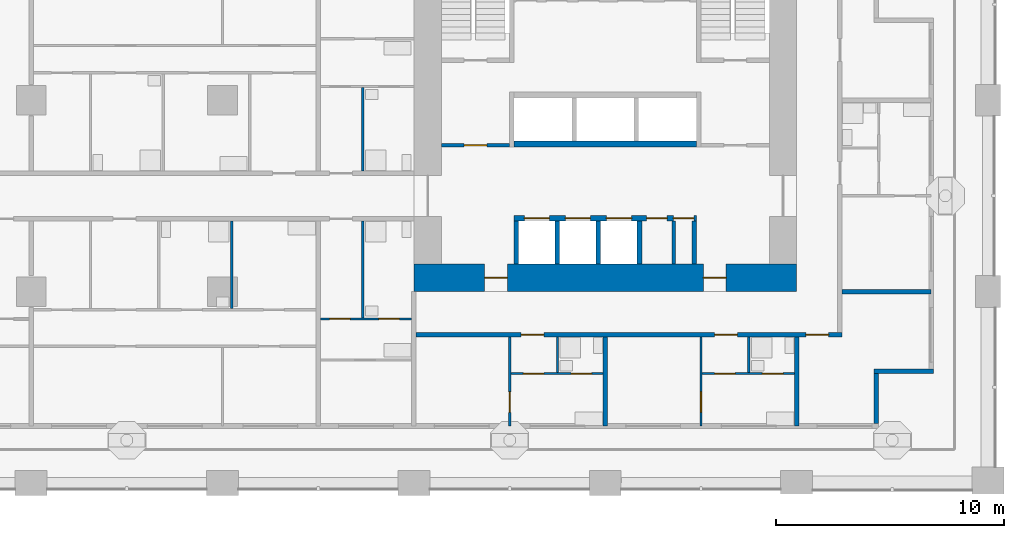
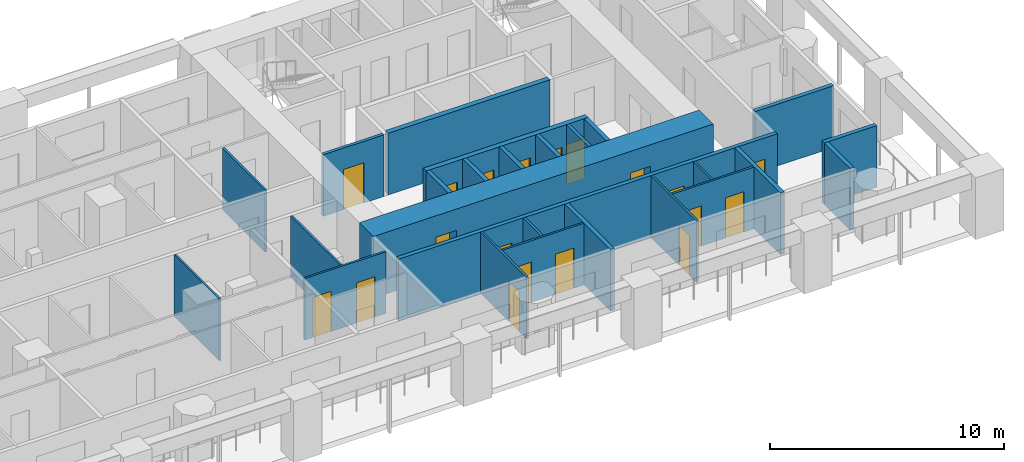
# One storey, part 6 of 22: 26 walls, 19 doors, 19 openings.
"""IFC4 building model written with IfcOpenShell, lengths in metres."""

from ifc_helpers import new_model, si_unit, direction, frame, frame_2d, origin, place, context, subcontext, project, spatial, rectangle, extrude, material, layer, layer_set, type_object, element, fill, save


model = new_model("IFC4")

# Units and contexts
model_context = context("Model", 3, precision=1e-05, world=origin(), true_north=direction((0.0, 1.0)))
body_context = subcontext(model_context, "Body", "Model", "MODEL_VIEW")
ifc_project = project(units=[si_unit("LENGTHUNIT", "METRE"), si_unit("AREAUNIT", "SQUARE_METRE"), si_unit("VOLUMEUNIT", "CUBIC_METRE"), si_unit("PLANEANGLEUNIT", "RADIAN"), si_unit("MASSUNIT", "GRAM", prefix="KILO")], contexts=[model_context])

# Site, building, storey
site_placement = place(None, origin())
site = spatial("IfcSite", under=ifc_project, at=site_placement, CompositionType="ELEMENT")
building_placement = place(site_placement, origin())
building = spatial("IfcBuilding", under=site, at=building_placement, Name="Vermilion Gate Residences", CompositionType="ELEMENT")
storey_placement = place(building_placement, frame((0.0, 0.0, 63.699951171875)))
storey = spatial("IfcBuildingStorey", under=building, at=storey_placement, Name="L15", CompositionType="ELEMENT", Elevation=63.699951171875)

# Wall
ifc_material_1 = material(Name="Masonry blockwork", Category="masonry")
ifc_layer_1 = layer(ifc_material_1, 0.14990234375)
ifc_layer_set_1 = layer_set([ifc_layer_1], Name="BLOCKWORK PARTITION 150 EI 120")
wall_type_1 = type_object("IfcWallType", Name="BLOCKWORK PARTITION 150 EI 120", PredefinedType="PARTITIONING", material=ifc_layer_set_1)
wall_1_placement = place(storey_placement, frame((53.407470703125, 9.60009765625, 0.0), z_axis=(0.0, 0.0, 1.0), x_axis=(0.0, 1.0, 0.0)))
element("IfcWall", 1, at=wall_1_placement, inside=storey, type_object=wall_type_1, Name="Core room partition A15-SR-P0", PredefinedType="PARTITIONING", context=body_context, shape_type="SweptSolid", body=[
    extrude(rectangle(XDim=1.89990234375, YDim=0.14990234375, at=frame_2d((0.949951171875, 0.0))), origin(), (0.0, 0.0, 1.0), 3.219970703125),
])

# Wall, opening, door
wall_2_placement = place(storey_placement, frame((43.199951171875, 14.824951171875, 0.0), z_axis=(0.0, 0.0, 1.0), x_axis=(1.0, 0.0, 0.0)))
wall_2 = element("IfcWall", 2, at=wall_2_placement, inside=storey, type_object=wall_type_1, Name="Core room partition A15-VW-S", PredefinedType="PARTITIONING", context=body_context, shape_type="SweptSolid", body=[
    extrude(rectangle(XDim=3.0, YDim=0.14990234375, at=frame_2d((1.5, 0.0))), origin(), (0.0, 0.0, 1.0), 3.219970703125),
])
opening_1_placement = place(wall_2_placement, frame((1.0, 0.0, 0.0)))
opening_1 = element("IfcOpeningElement", 3, at=opening_1_placement, cuts=wall_2, Name="Opening DK15015", PredefinedType="OPENING", context=body_context, shape_type="SweptSolid", body=[
    extrude(rectangle(XDim=1.0, YDim=2.10009765625, at=frame_2d((0.5, 1.050048828125))), frame((0.0, 0.0849609375, 0.0), z_axis=(0.0, -1.0, 0.0), x_axis=(1.0, 0.0, 0.0)), (0.0, 0.0, 1.0), 0.169921875),
])
ifc_material_2 = material(Name="Steel", Category="steel")
door_type_1 = type_object("IfcDoorType", Name="FIRE DOOR FD60 1000 X 2100", OperationType="SINGLE_SWING_LEFT", PredefinedType="DOOR", material=ifc_material_2)
door_1_placement = place(opening_1_placement, frame((1.0, 0.0, 0.0), z_axis=(0.0, 0.0, 1.0), x_axis=(-1.0, 0.0, 0.0)))
door_1 = element("IfcDoor", 4, at=door_1_placement, inside=storey, type_object=door_type_1, Name="Stair vestibule door A15", OperationType="SINGLE_SWING_RIGHT", OverallHeight=2.10009765625, OverallWidth=1.0, PredefinedType="DOOR", context=body_context, shape_type="SweptSolid", body=[
    extrude(rectangle(XDim=1.0, YDim=2.10009765625, at=frame_2d((0.5, 1.050048828125))), frame((0.0, 0.02490234375, 0.0), z_axis=(0.0, -1.0, 0.0), x_axis=(1.0, 0.0, 0.0)), (0.0, 0.0, 1.0), 0.050048828125),
])
fill(opening_1, door_1)

# Walls
ifc_material_3 = material(Name="Insulated steel stud wall with terracotta rainscreen", Category="masonry")
ifc_layer_2 = layer(ifc_material_3, 0.199951171875)
ifc_layer_set_2 = layer_set([ifc_layer_2], Name="EXTERNAL WALL 200 TERRACOTTA RAINSCREEN")
wall_type_2 = type_object("IfcWallType", Name="EXTERNAL WALL 200 TERRACOTTA RAINSCREEN", PredefinedType="SOLIDWALL", material=ifc_layer_set_2)
wall_3_placement = place(storey_placement, frame((62.300048828125, 2.60009765625, 0.0), z_axis=(0.0, 0.0, 1.0), x_axis=(0.0, 1.0, 0.0)))
element("IfcWall", 5, at=wall_3_placement, inside=storey, type_object=wall_type_2, Name="External wall", PredefinedType="SOLIDWALL", context=body_context, shape_type="SweptSolid", body=[
    extrude(rectangle(XDim=2.199951171875, YDim=0.199951171875, at=frame_2d((1.10009765625, 0.0))), origin(), (0.0, 0.0, 1.0), 3.219970703125),
])
wall_4_placement = place(storey_placement, frame((62.199951171875, 4.89990234375, 0.0), z_axis=(0.0, 0.0, 1.0), x_axis=(1.0, 0.0, 0.0)))
element("IfcWall", 6, at=wall_4_placement, inside=storey, type_object=wall_type_2, Name="External wall", PredefinedType="SOLIDWALL", context=body_context, shape_type="SweptSolid", body=[
    extrude(rectangle(XDim=2.60009765625, YDim=0.199951171875, at=frame_2d((1.300048828125, 0.0))), origin(), (0.0, 0.0, 1.0), 3.219970703125),
])

# Wall, openings, doors
ifc_material_4 = material(Name="Plasterboard on steel studs", Category="steel")
ifc_layer_3 = layer(ifc_material_4, 0.10009765625)
ifc_layer_set_3 = layer_set([ifc_layer_3], Name="PARTITION 100")
wall_type_3 = type_object("IfcWallType", Name="PARTITION 100", PredefinedType="PARTITIONING", material=ifc_layer_set_3)
wall_5_placement = place(storey_placement, frame((46.25, 4.800048828125, 0.0), z_axis=(0.0, 0.0, 1.0), x_axis=(1.0, 0.0, 0.0)))
wall_5 = element("IfcWall", 7, at=wall_5_placement, inside=storey, type_object=wall_type_3, Name="Partition", PredefinedType="PARTITIONING", context=body_context, shape_type="SweptSolid", body=[
    extrude(rectangle(XDim=4.050048828125, YDim=0.10009765625, at=frame_2d((2.02490234375, 0.0))), origin(), (0.0, 0.0, 1.0), 3.219970703125),
])
opening_2_placement = place(wall_5_placement, frame((0.550048828125, 0.0, 0.0)))
opening_2 = element("IfcOpeningElement", 8, at=opening_2_placement, cuts=wall_5, Name="Opening DA13001", PredefinedType="OPENING", context=body_context, shape_type="SweptSolid", body=[
    extrude(rectangle(XDim=0.89990234375, YDim=2.10009765625, at=frame_2d((0.449951171875, 1.050048828125))), frame((0.0, 0.06005859375, 0.0), z_axis=(0.0, -1.0, 0.0), x_axis=(1.0, 0.0, 0.0)), (0.0, 0.0, 1.0), 0.1201171875),
])
opening_3_placement = place(wall_5_placement, frame((2.64990234375, 0.0, 0.0)))
opening_3 = element("IfcOpeningElement", 9, at=opening_3_placement, cuts=wall_5, Name="Opening DA13002", PredefinedType="OPENING", context=body_context, shape_type="SweptSolid", body=[
    extrude(rectangle(XDim=0.89990234375, YDim=2.10009765625, at=frame_2d((0.449951171875, 1.050048828125))), frame((0.0, 0.06005859375, 0.0), z_axis=(0.0, -1.0, 0.0), x_axis=(1.0, 0.0, 0.0)), (0.0, 0.0, 1.0), 0.1201171875),
])
ifc_material_5 = material(Name="Timber", Category="wood")
door_type_2 = type_object("IfcDoorType", Name="INTERIOR DOOR 900 X 2100", OperationType="SINGLE_SWING_LEFT", PredefinedType="DOOR", material=ifc_material_5)
door_2_placement = place(opening_2_placement, frame((0.89990234375, 0.0, 0.0), z_axis=(0.0, 0.0, 1.0), x_axis=(-1.0, 0.0, 0.0)))
door_2 = element("IfcDoor", 10, at=door_2_placement, inside=storey, type_object=door_type_2, Name="Interior door", OperationType="SINGLE_SWING_RIGHT", OverallHeight=2.10009765625, OverallWidth=0.89990234375, PredefinedType="DOOR", context=body_context, shape_type="SweptSolid", body=[
    extrude(rectangle(XDim=0.89990234375, YDim=2.10009765625, at=frame_2d((0.449951171875, 1.050048828125))), frame((0.0, 0.02490234375, 0.0), z_axis=(0.0, -1.0, 0.0), x_axis=(1.0, 0.0, 0.0)), (0.0, 0.0, 1.0), 0.050048828125),
])
fill(opening_2, door_2)
door_3_placement = place(opening_3_placement, origin())
door_3 = element("IfcDoor", 11, at=door_3_placement, inside=storey, type_object=door_type_2, Name="Interior door", OperationType="SINGLE_SWING_RIGHT", OverallHeight=2.10009765625, OverallWidth=0.89990234375, PredefinedType="DOOR", context=body_context, shape_type="SweptSolid", body=[
    extrude(rectangle(XDim=0.89990234375, YDim=2.10009765625, at=frame_2d((0.449951171875, 1.050048828125))), frame((0.0, 0.02490234375, 0.0), z_axis=(0.0, -1.0, 0.0), x_axis=(1.0, 0.0, 0.0)), (0.0, 0.0, 1.0), 0.050048828125),
])
fill(opening_3, door_3)

wall_6_placement = place(storey_placement, frame((54.64990234375, 4.800048828125, 0.0), z_axis=(0.0, 0.0, 1.0), x_axis=(1.0, 0.0, 0.0)))
wall_6 = element("IfcWall", 12, at=wall_6_placement, inside=storey, type_object=wall_type_3, Name="Partition", PredefinedType="PARTITIONING", context=body_context, shape_type="SweptSolid", body=[
    extrude(rectangle(XDim=4.050048828125, YDim=0.10009765625, at=frame_2d((2.02490234375, 0.0))), origin(), (0.0, 0.0, 1.0), 3.219970703125),
])
opening_4_placement = place(wall_6_placement, frame((0.550048828125, 0.0, 0.0)))
opening_4 = element("IfcOpeningElement", 13, at=opening_4_placement, cuts=wall_6, Name="Opening DA13003", PredefinedType="OPENING", context=body_context, shape_type="SweptSolid", body=[
    extrude(rectangle(XDim=0.89990234375, YDim=2.10009765625, at=frame_2d((0.449951171875, 1.050048828125))), frame((0.0, 0.06005859375, 0.0), z_axis=(0.0, -1.0, 0.0), x_axis=(1.0, 0.0, 0.0)), (0.0, 0.0, 1.0), 0.1201171875),
])
opening_5_placement = place(wall_6_placement, frame((2.64990234375, 0.0, 0.0)))
opening_5 = element("IfcOpeningElement", 14, at=opening_5_placement, cuts=wall_6, Name="Opening DA13004", PredefinedType="OPENING", context=body_context, shape_type="SweptSolid", body=[
    extrude(rectangle(XDim=0.89990234375, YDim=2.10009765625, at=frame_2d((0.449951171875, 1.050048828125))), frame((0.0, 0.06005859375, 0.0), z_axis=(0.0, -1.0, 0.0), x_axis=(1.0, 0.0, 0.0)), (0.0, 0.0, 1.0), 0.1201171875),
])
door_4_placement = place(opening_4_placement, frame((0.89990234375, 0.0, 0.0), z_axis=(0.0, 0.0, 1.0), x_axis=(-1.0, 0.0, 0.0)))
door_4 = element("IfcDoor", 15, at=door_4_placement, inside=storey, type_object=door_type_2, Name="Interior door", OperationType="SINGLE_SWING_RIGHT", OverallHeight=2.10009765625, OverallWidth=0.89990234375, PredefinedType="DOOR", context=body_context, shape_type="SweptSolid", body=[
    extrude(rectangle(XDim=0.89990234375, YDim=2.10009765625, at=frame_2d((0.449951171875, 1.050048828125))), frame((0.0, 0.02490234375, 0.0), z_axis=(0.0, -1.0, 0.0), x_axis=(1.0, 0.0, 0.0)), (0.0, 0.0, 1.0), 0.050048828125),
])
fill(opening_4, door_4)
door_5_placement = place(opening_5_placement, origin())
door_5 = element("IfcDoor", 16, at=door_5_placement, inside=storey, type_object=door_type_2, Name="Interior door", OperationType="SINGLE_SWING_RIGHT", OverallHeight=2.10009765625, OverallWidth=0.89990234375, PredefinedType="DOOR", context=body_context, shape_type="SweptSolid", body=[
    extrude(rectangle(XDim=0.89990234375, YDim=2.10009765625, at=frame_2d((0.449951171875, 1.050048828125))), frame((0.0, 0.02490234375, 0.0), z_axis=(0.0, -1.0, 0.0), x_axis=(1.0, 0.0, 0.0)), (0.0, 0.0, 1.0), 0.050048828125),
])
fill(opening_5, door_5)

wall_7_placement = place(storey_placement, frame((37.89990234375, 7.199951171875, 0.0), z_axis=(0.0, 0.0, 1.0), x_axis=(1.0, 0.0, 0.0)))
wall_7 = element("IfcWall", 17, at=wall_7_placement, inside=storey, type_object=wall_type_3, Name="Partition", PredefinedType="PARTITIONING", context=body_context, shape_type="SweptSolid", body=[
    extrude(rectangle(XDim=4.0, YDim=0.10009765625, at=frame_2d((2.0, 0.0))), origin(), (0.0, 0.0, 1.0), 3.219970703125),
])
opening_6_placement = place(wall_7_placement, frame((0.39990234375, 0.0, 0.0)))
opening_6 = element("IfcOpeningElement", 18, at=opening_6_placement, cuts=wall_7, Name="Opening DA13017", PredefinedType="OPENING", context=body_context, shape_type="SweptSolid", body=[
    extrude(rectangle(XDim=0.89990234375, YDim=2.10009765625, at=frame_2d((0.449951171875, 1.050048828125))), frame((0.0, 0.06005859375, 0.0), z_axis=(0.0, -1.0, 0.0), x_axis=(1.0, 0.0, 0.0)), (0.0, 0.0, 1.0), 0.1201171875),
])
opening_7_placement = place(wall_7_placement, frame((2.56005859375, 0.0, 0.0)))
opening_7 = element("IfcOpeningElement", 19, at=opening_7_placement, cuts=wall_7, Name="Opening DA13018", PredefinedType="OPENING", context=body_context, shape_type="SweptSolid", body=[
    extrude(rectangle(XDim=0.89990234375, YDim=2.10009765625, at=frame_2d((0.449951171875, 1.050048828125))), frame((0.0, 0.06005859375, 0.0), z_axis=(0.0, -1.0, 0.0), x_axis=(1.0, 0.0, 0.0)), (0.0, 0.0, 1.0), 0.1201171875),
])
door_6_placement = place(opening_6_placement, frame((0.89990234375, 0.0, 0.0), z_axis=(0.0, 0.0, 1.0), x_axis=(-1.0, 0.0, 0.0)))
door_6 = element("IfcDoor", 20, at=door_6_placement, inside=storey, type_object=door_type_2, Name="Interior door", OperationType="SINGLE_SWING_RIGHT", OverallHeight=2.10009765625, OverallWidth=0.89990234375, PredefinedType="DOOR", context=body_context, shape_type="SweptSolid", body=[
    extrude(rectangle(XDim=0.89990234375, YDim=2.10009765625, at=frame_2d((0.449951171875, 1.050048828125))), frame((0.0, 0.02490234375, 0.0), z_axis=(0.0, -1.0, 0.0), x_axis=(1.0, 0.0, 0.0)), (0.0, 0.0, 1.0), 0.050048828125),
])
fill(opening_6, door_6)
door_7_placement = place(opening_7_placement, frame((0.89990234375, 0.0, 0.0), z_axis=(0.0, 0.0, 1.0), x_axis=(-1.0, 0.0, 0.0)))
door_7 = element("IfcDoor", 21, at=door_7_placement, inside=storey, type_object=door_type_2, Name="Interior door", OperationType="SINGLE_SWING_LEFT", OverallHeight=2.10009765625, OverallWidth=0.89990234375, PredefinedType="DOOR", context=body_context, shape_type="SweptSolid", body=[
    extrude(rectangle(XDim=0.89990234375, YDim=2.10009765625, at=frame_2d((0.449951171875, 1.050048828125))), frame((0.0, 0.02490234375, 0.0), z_axis=(0.0, -1.0, 0.0), x_axis=(1.0, 0.0, 0.0)), (0.0, 0.0, 1.0), 0.050048828125),
])
fill(opening_7, door_7)

# Walls
wall_8_placement = place(storey_placement, frame((34.0, 7.64990234375, 0.0), z_axis=(0.0, 0.0, 1.0), x_axis=(0.0, 1.0, 0.0)))
element("IfcWall", 22, at=wall_8_placement, inside=storey, type_object=wall_type_3, Name="Partition", PredefinedType="PARTITIONING", context=body_context, shape_type="SweptSolid", body=[
    extrude(rectangle(XDim=3.85009765625, YDim=0.10009765625, at=frame_2d((1.925048828125, 0.0))), origin(), (0.0, 0.0, 1.0), 3.219970703125),
])
wall_9_placement = place(storey_placement, frame((39.760009765625, 7.25, 0.0), z_axis=(0.0, 0.0, 1.0), x_axis=(0.0, 1.0, 0.0)))
element("IfcWall", 23, at=wall_9_placement, inside=storey, type_object=wall_type_3, Name="Partition", PredefinedType="PARTITIONING", context=body_context, shape_type="SweptSolid", body=[
    extrude(rectangle(XDim=4.25, YDim=0.10009765625, at=frame_2d((2.125, 0.0))), origin(), (0.0, 0.0, 1.0), 3.219970703125),
])
wall_10_placement = place(storey_placement, frame((39.760009765625, 13.699951171875, 0.0), z_axis=(0.0, 0.0, 1.0), x_axis=(0.0, 1.0, 0.0)))
element("IfcWall", 24, at=wall_10_placement, inside=storey, type_object=wall_type_3, Name="Partition", PredefinedType="PARTITIONING", context=body_context, shape_type="SweptSolid", body=[
    extrude(rectangle(XDim=3.650146484375, YDim=0.10009765625, at=frame_2d((1.8251953125, 0.0))), origin(), (0.0, 0.0, 1.0), 3.219970703125),
])

# Wall, opening, door
wall_11_placement = place(storey_placement, frame((46.199951171875, 2.5, 0.0), z_axis=(0.0, 0.0, 1.0), x_axis=(0.0, 1.0, 0.0)))
wall_11 = element("IfcWall", 25, at=wall_11_placement, inside=storey, type_object=wall_type_3, Name="Partition", PredefinedType="PARTITIONING", context=body_context, shape_type="SweptSolid", body=[
    extrude(rectangle(XDim=3.89990234375, YDim=0.10009765625, at=frame_2d((1.949951171875, 0.0))), origin(), (0.0, 0.0, 1.0), 3.219970703125),
])
opening_8_placement = place(wall_11_placement, frame((0.60009765625, 0.0, 0.0)))
opening_8 = element("IfcOpeningElement", 26, at=opening_8_placement, cuts=wall_11, Name="Opening DA13081", PredefinedType="OPENING", context=body_context, shape_type="SweptSolid", body=[
    extrude(rectangle(XDim=0.89990234375, YDim=2.10009765625, at=frame_2d((0.449951171875, 1.050048828125))), frame((0.0, 0.06005859375, 0.0), z_axis=(0.0, -1.0, 0.0), x_axis=(1.0, 0.0, 0.0)), (0.0, 0.0, 1.0), 0.1201171875),
])
door_8_placement = place(opening_8_placement, frame((0.89990234375, 0.0, 0.0), z_axis=(0.0, 0.0, 1.0), x_axis=(-1.0, 0.0, 0.0)))
door_8 = element("IfcDoor", 27, at=door_8_placement, inside=storey, type_object=door_type_2, Name="Interior door", OperationType="SINGLE_SWING_RIGHT", OverallHeight=2.10009765625, OverallWidth=0.89990234375, PredefinedType="DOOR", context=body_context, shape_type="SweptSolid", body=[
    extrude(rectangle(XDim=0.89990234375, YDim=2.10009765625, at=frame_2d((0.449951171875, 1.050048828125))), frame((0.0, 0.02490234375, 0.0), z_axis=(0.0, -1.0, 0.0), x_axis=(1.0, 0.0, 0.0)), (0.0, 0.0, 1.0), 0.050048828125),
])
fill(opening_8, door_8)

# Wall
wall_12_placement = place(storey_placement, frame((48.300048828125, 4.85009765625, 0.0), z_axis=(0.0, 0.0, 1.0), x_axis=(0.0, 1.0, 0.0)))
element("IfcWall", 28, at=wall_12_placement, inside=storey, type_object=wall_type_3, Name="Partition", PredefinedType="PARTITIONING", context=body_context, shape_type="SweptSolid", body=[
    extrude(rectangle(XDim=1.5498046875, YDim=0.10009765625, at=frame_2d((0.77490234375, 0.0))), origin(), (0.0, 0.0, 1.0), 3.219970703125),
])

# Wall, opening, door
wall_13_placement = place(storey_placement, frame((54.60009765625, 2.5, 0.0), z_axis=(0.0, 0.0, 1.0), x_axis=(0.0, 1.0, 0.0)))
wall_13 = element("IfcWall", 29, at=wall_13_placement, inside=storey, type_object=wall_type_3, Name="Partition", PredefinedType="PARTITIONING", context=body_context, shape_type="SweptSolid", body=[
    extrude(rectangle(XDim=3.89990234375, YDim=0.10009765625, at=frame_2d((1.949951171875, 0.0))), origin(), (0.0, 0.0, 1.0), 3.219970703125),
])
opening_9_placement = place(wall_13_placement, frame((0.60009765625, 0.0, 0.0)))
opening_9 = element("IfcOpeningElement", 30, at=opening_9_placement, cuts=wall_13, Name="Opening DA13082", PredefinedType="OPENING", context=body_context, shape_type="SweptSolid", body=[
    extrude(rectangle(XDim=0.89990234375, YDim=2.10009765625, at=frame_2d((0.449951171875, 1.050048828125))), frame((0.0, 0.06005859375, 0.0), z_axis=(0.0, -1.0, 0.0), x_axis=(1.0, 0.0, 0.0)), (0.0, 0.0, 1.0), 0.1201171875),
])
door_9_placement = place(opening_9_placement, frame((0.89990234375, 0.0, 0.0), z_axis=(0.0, 0.0, 1.0), x_axis=(-1.0, 0.0, 0.0)))
door_9 = element("IfcDoor", 31, at=door_9_placement, inside=storey, type_object=door_type_2, Name="Interior door", OperationType="SINGLE_SWING_RIGHT", OverallHeight=2.10009765625, OverallWidth=0.89990234375, PredefinedType="DOOR", context=body_context, shape_type="SweptSolid", body=[
    extrude(rectangle(XDim=0.89990234375, YDim=2.10009765625, at=frame_2d((0.449951171875, 1.050048828125))), frame((0.0, 0.02490234375, 0.0), z_axis=(0.0, -1.0, 0.0), x_axis=(1.0, 0.0, 0.0)), (0.0, 0.0, 1.0), 0.050048828125),
])
fill(opening_9, door_9)

# Wall
wall_14_placement = place(storey_placement, frame((56.699951171875, 4.85009765625, 0.0), z_axis=(0.0, 0.0, 1.0), x_axis=(0.0, 1.0, 0.0)))
element("IfcWall", 32, at=wall_14_placement, inside=storey, type_object=wall_type_3, Name="Partition", PredefinedType="PARTITIONING", context=body_context, shape_type="SweptSolid", body=[
    extrude(rectangle(XDim=1.5498046875, YDim=0.10009765625, at=frame_2d((0.77490234375, 0.0))), origin(), (0.0, 0.0, 1.0), 3.219970703125),
])

# Wall, openings, doors
ifc_material_6 = material(Name="Fire-rated plasterboard on steel studs", Category="steel")
ifc_layer_4 = layer(ifc_material_6, 0.199951171875)
ifc_layer_set_4 = layer_set([ifc_layer_4], Name="PARTY WALL 200 EI 120")
wall_type_4 = type_object("IfcWallType", Name="PARTY WALL 200 EI 120", PredefinedType="PARTITIONING", material=ifc_layer_set_4)
wall_15_placement = place(storey_placement, frame((42.10009765625, 6.5, 0.0), z_axis=(0.0, 0.0, 1.0), x_axis=(1.0, 0.0, 0.0)))
wall_15 = element("IfcWall", 33, at=wall_15_placement, inside=storey, type_object=wall_type_4, Name="Party and corridor wall", PredefinedType="PARTITIONING", context=body_context, shape_type="SweptSolid", body=[
    extrude(rectangle(XDim=18.699951171875, YDim=0.199951171875, at=frame_2d((9.35009765625, 0.0))), origin(), (0.0, 0.0, 1.0), 3.219970703125),
])
opening_10_placement = place(wall_15_placement, frame((4.60009765625, 0.0, 0.0)))
opening_10 = element("IfcOpeningElement", 34, at=opening_10_placement, cuts=wall_15, Name="Opening DA13011", PredefinedType="OPENING", context=body_context, shape_type="SweptSolid", body=[
    extrude(rectangle(XDim=1.0, YDim=2.10009765625, at=frame_2d((0.5, 1.050048828125))), frame((0.0, 0.10986328125, 0.0), z_axis=(0.0, -1.0, 0.0), x_axis=(1.0, 0.0, 0.0)), (0.0, 0.0, 1.0), 0.219970703125),
])
opening_11_placement = place(wall_15_placement, frame((13.10009765625, 0.0, 0.0)))
opening_11 = element("IfcOpeningElement", 35, at=opening_11_placement, cuts=wall_15, Name="Opening DA13012", PredefinedType="OPENING", context=body_context, shape_type="SweptSolid", body=[
    extrude(rectangle(XDim=1.0, YDim=2.10009765625, at=frame_2d((0.5, 1.050048828125))), frame((0.0, 0.10986328125, 0.0), z_axis=(0.0, -1.0, 0.0), x_axis=(1.0, 0.0, 0.0)), (0.0, 0.0, 1.0), 0.219970703125),
])
opening_12_placement = place(wall_15_placement, frame((17.10009765625, 0.0, 0.0)))
opening_12 = element("IfcOpeningElement", 36, at=opening_12_placement, cuts=wall_15, Name="Opening DA13013", PredefinedType="OPENING", context=body_context, shape_type="SweptSolid", body=[
    extrude(rectangle(XDim=1.0, YDim=2.10009765625, at=frame_2d((0.5, 1.050048828125))), frame((0.0, 0.10986328125, 0.0), z_axis=(0.0, -1.0, 0.0), x_axis=(1.0, 0.0, 0.0)), (0.0, 0.0, 1.0), 0.219970703125),
])
ifc_material_7 = material(Name="Steel", Category="steel")
door_type_3 = type_object("IfcDoorType", Name="ENTRANCE DOOR 1000 X 2100 FD30", OperationType="SINGLE_SWING_LEFT", PredefinedType="DOOR", material=ifc_material_7)
door_10_placement = place(opening_10_placement, frame((1.0, 0.0, 0.0), z_axis=(0.0, 0.0, 1.0), x_axis=(-1.0, 0.0, 0.0)))
door_10 = element("IfcDoor", 37, at=door_10_placement, inside=storey, type_object=door_type_3, Name="Entrance door", OperationType="SINGLE_SWING_RIGHT", OverallHeight=2.10009765625, OverallWidth=1.0, PredefinedType="DOOR", context=body_context, shape_type="SweptSolid", body=[
    extrude(rectangle(XDim=1.0, YDim=2.10009765625, at=frame_2d((0.5, 1.050048828125))), frame((0.0, 0.02490234375, 0.0), z_axis=(0.0, -1.0, 0.0), x_axis=(1.0, 0.0, 0.0)), (0.0, 0.0, 1.0), 0.050048828125),
])
fill(opening_10, door_10)
door_11_placement = place(opening_11_placement, frame((1.0, 0.0, 0.0), z_axis=(0.0, 0.0, 1.0), x_axis=(-1.0, 0.0, 0.0)))
door_11 = element("IfcDoor", 38, at=door_11_placement, inside=storey, type_object=door_type_3, Name="Entrance door", OperationType="SINGLE_SWING_LEFT", OverallHeight=2.10009765625, OverallWidth=1.0, PredefinedType="DOOR", context=body_context, shape_type="SweptSolid", body=[
    extrude(rectangle(XDim=1.0, YDim=2.10009765625, at=frame_2d((0.5, 1.050048828125))), frame((0.0, 0.02490234375, 0.0), z_axis=(0.0, -1.0, 0.0), x_axis=(1.0, 0.0, 0.0)), (0.0, 0.0, 1.0), 0.050048828125),
])
fill(opening_11, door_11)
door_12_placement = place(opening_12_placement, frame((1.0, 0.0, 0.0), z_axis=(0.0, 0.0, 1.0), x_axis=(-1.0, 0.0, 0.0)))
door_12 = element("IfcDoor", 39, at=door_12_placement, inside=storey, type_object=door_type_3, Name="Entrance door", OperationType="SINGLE_SWING_RIGHT", OverallHeight=2.10009765625, OverallWidth=1.0, PredefinedType="DOOR", context=body_context, shape_type="SweptSolid", body=[
    extrude(rectangle(XDim=1.0, YDim=2.10009765625, at=frame_2d((0.5, 1.050048828125))), frame((0.0, 0.02490234375, 0.0), z_axis=(0.0, -1.0, 0.0), x_axis=(1.0, 0.0, 0.0)), (0.0, 0.0, 1.0), 0.050048828125),
])
fill(opening_12, door_12)

# Walls
for number, where, z_axis, x_axis, name in (
    (40, (60.800048828125, 8.39990234375, 0.0), (0.0, 0.0, 1.0), (1.0, 0.0, 0.0), "Party and corridor wall"),
    (41, (50.39990234375, 2.5, 0.0), (0.0, 0.0, 1.0), (0.0, 1.0, 0.0), "Party and corridor wall"),
    (42, (58.800048828125, 2.5, 0.0), (0.0, 0.0, 1.0), (0.0, 1.0, 0.0), "Party and corridor wall"),
):
    element("IfcWall", number, at=place(storey_placement, frame(where, z_axis=z_axis, x_axis=x_axis)), inside=storey, type_object=wall_type_4, Name=name, PredefinedType="PARTITIONING", context=body_context, shape_type="SweptSolid", body=[
        extrude(rectangle(XDim=3.89990234375, YDim=0.199951171875, at=frame_2d((1.949951171875, 0.0))), origin(), (0.0, 0.0, 1.0), 3.219970703125),
    ])
ifc_material_8 = material(Name="Concrete C60", Category="concrete")
ifc_layer_5 = layer(ifc_material_8, 0.199951171875)
ifc_layer_set_5 = layer_set([ifc_layer_5], Name="RC CORE INTERNAL WALL 200 C60")
wall_type_5 = type_object("IfcWallType", Name="RC CORE INTERNAL WALL 200 C60", PredefinedType="SHEAR", material=ifc_layer_set_5)
for number, where, z_axis, x_axis, name in (
    (43, (46.5, 9.60009765625, 0.0), (0.0, 0.0, 1.0), (0.0, 1.0, 0.0), "Core internal wall A15-LR-D0"),
    (44, (48.300048828125, 9.60009765625, 0.0), (0.0, 0.0, 1.0), (0.0, 1.0, 0.0), "Core internal wall A15-LR-D1"),
    (45, (50.10009765625, 9.60009765625, 0.0), (0.0, 0.0, 1.0), (0.0, 1.0, 0.0), "Core internal wall A15-LR-D2"),
    (46, (51.89990234375, 9.60009765625, 0.0), (0.0, 0.0, 1.0), (0.0, 1.0, 0.0), "Core internal wall A15-LR-D3"),
    (47, (54.300048828125, 9.60009765625, 0.0), (0.0, 0.0, 1.0), (0.0, 1.0, 0.0), "Core internal wall A15-LR-DE"),
):
    element("IfcWall", number, at=place(storey_placement, frame(where, z_axis=z_axis, x_axis=x_axis)), inside=storey, type_object=wall_type_5, Name=name, PredefinedType="SHEAR", context=body_context, shape_type="SweptSolid", body=[
        extrude(rectangle(XDim=1.89990234375, YDim=0.199951171875, at=frame_2d((0.949951171875, 0.0))), origin(), (0.0, 0.0, 1.0), 3.219970703125),
    ])

# Wall, openings, doors
ifc_material_9 = material(Name="Concrete C80", Category="concrete")
ifc_layer_6 = layer(ifc_material_9, 1.199951171875)
ifc_layer_set_6 = layer_set([ifc_layer_6], Name="RC CORE WALL 1200 C80")
wall_type_6 = type_object("IfcWallType", Name="RC CORE WALL 1200 C80", PredefinedType="SHEAR", material=ifc_layer_set_6)
wall_16_placement = place(storey_placement, frame((42.0, 9.0, 0.0), z_axis=(0.0, 0.0, 1.0), x_axis=(1.0, 0.0, 0.0)))
wall_16 = element("IfcWall", 48, at=wall_16_placement, inside=storey, type_object=wall_type_6, Name="Core wall A15-OUT-B0", PredefinedType="SHEAR", context=body_context, shape_type="SweptSolid", body=[
    extrude(rectangle(XDim=16.800048828125, YDim=1.199951171875, at=frame_2d((8.39990234375, 0.0))), origin(), (0.0, 0.0, 1.0), 3.219970703125),
])
opening_13_placement = place(wall_16_placement, frame((3.10009765625, 0.0, 0.0)))
opening_13 = element("IfcOpeningElement", 49, at=opening_13_placement, cuts=wall_16, Name="Opening DK15001", PredefinedType="OPENING", context=body_context, shape_type="SweptSolid", body=[
    extrude(rectangle(XDim=1.0, YDim=2.10009765625, at=frame_2d((0.5, 1.050048828125))), frame((0.0, 0.60986328125, 0.0), z_axis=(0.0, -1.0, 0.0), x_axis=(1.0, 0.0, 0.0)), (0.0, 0.0, 1.0), 1.219970703125),
])
opening_14_placement = place(wall_16_placement, frame((12.699951171875, 0.0, 0.0)))
opening_14 = element("IfcOpeningElement", 50, at=opening_14_placement, cuts=wall_16, Name="Opening DK15002", PredefinedType="OPENING", context=body_context, shape_type="SweptSolid", body=[
    extrude(rectangle(XDim=1.0, YDim=2.10009765625, at=frame_2d((0.5, 1.050048828125))), frame((0.0, 0.60986328125, 0.0), z_axis=(0.0, -1.0, 0.0), x_axis=(1.0, 0.0, 0.0)), (0.0, 0.0, 1.0), 1.219970703125),
])
door_13_placement = place(opening_13_placement, origin())
door_13 = element("IfcDoor", 51, at=door_13_placement, inside=storey, type_object=door_type_1, Name="Core lobby side door A15", OperationType="SINGLE_SWING_RIGHT", OverallHeight=2.10009765625, OverallWidth=1.0, PredefinedType="DOOR", context=body_context, shape_type="SweptSolid", body=[
    extrude(rectangle(XDim=1.0, YDim=2.10009765625, at=frame_2d((0.5, 1.050048828125))), frame((0.0, 0.02490234375, 0.0), z_axis=(0.0, -1.0, 0.0), x_axis=(1.0, 0.0, 0.0)), (0.0, 0.0, 1.0), 0.050048828125),
])
fill(opening_13, door_13)
door_14_placement = place(opening_14_placement, origin())
door_14 = element("IfcDoor", 52, at=door_14_placement, inside=storey, type_object=door_type_1, Name="Core lobby side door A15", OperationType="SINGLE_SWING_LEFT", OverallHeight=2.10009765625, OverallWidth=1.0, PredefinedType="DOOR", context=body_context, shape_type="SweptSolid", body=[
    extrude(rectangle(XDim=1.0, YDim=2.10009765625, at=frame_2d((0.5, 1.050048828125))), frame((0.0, 0.02490234375, 0.0), z_axis=(0.0, -1.0, 0.0), x_axis=(1.0, 0.0, 0.0)), (0.0, 0.0, 1.0), 0.050048828125),
])
fill(opening_14, door_14)

ifc_material_10 = material(Name="Concrete C60", Category="concrete")
ifc_layer_7 = layer(ifc_material_10, 0.25)
ifc_layer_set_7 = layer_set([ifc_layer_7], Name="RC LIFT SHAFT WALL 250 C60")
wall_type_7 = type_object("IfcWallType", Name="RC LIFT SHAFT WALL 250 C60", PredefinedType="SHEAR", material=ifc_layer_set_7)
wall_17_placement = place(storey_placement, frame((46.39990234375, 11.625, 0.0), z_axis=(0.0, 0.0, 1.0), x_axis=(1.0, 0.0, 0.0)))
wall_17 = element("IfcWall", 53, at=wall_17_placement, inside=storey, type_object=wall_type_7, Name="Lift shaft wall A15-LR-F", PredefinedType="SHEAR", context=body_context, shape_type="SweptSolid", body=[
    extrude(rectangle(XDim=8.0, YDim=0.25, at=frame_2d((4.0, 0.0))), origin(), (0.0, 0.0, 1.0), 3.219970703125),
])
opening_15_placement = place(wall_17_placement, frame((0.449951171875, 0.0, 0.0)))
opening_15 = element("IfcOpeningElement", 54, at=opening_15_placement, cuts=wall_17, Name="Opening LD", PredefinedType="OPENING", context=body_context, shape_type="SweptSolid", body=[
    extrude(rectangle(XDim=1.10009765625, YDim=2.10009765625, at=frame_2d((0.550048828125, 1.050048828125))), frame((0.0, 0.135009765625, 0.0), z_axis=(0.0, -1.0, 0.0), x_axis=(1.0, 0.0, 0.0)), (0.0, 0.0, 1.0), 0.27001953125),
])
opening_16_placement = place(wall_17_placement, frame((2.25, 0.0, 0.0)))
opening_16 = element("IfcOpeningElement", 55, at=opening_16_placement, cuts=wall_17, Name="Opening LD", PredefinedType="OPENING", context=body_context, shape_type="SweptSolid", body=[
    extrude(rectangle(XDim=1.10009765625, YDim=2.10009765625, at=frame_2d((0.550048828125, 1.050048828125))), frame((0.0, 0.135009765625, 0.0), z_axis=(0.0, -1.0, 0.0), x_axis=(1.0, 0.0, 0.0)), (0.0, 0.0, 1.0), 0.27001953125),
])
opening_17_placement = place(wall_17_placement, frame((4.050048828125, 0.0, 0.0)))
opening_17 = element("IfcOpeningElement", 56, at=opening_17_placement, cuts=wall_17, Name="Opening LD", PredefinedType="OPENING", context=body_context, shape_type="SweptSolid", body=[
    extrude(rectangle(XDim=1.10009765625, YDim=2.10009765625, at=frame_2d((0.550048828125, 1.050048828125))), frame((0.0, 0.135009765625, 0.0), z_axis=(0.0, -1.0, 0.0), x_axis=(1.0, 0.0, 0.0)), (0.0, 0.0, 1.0), 0.27001953125),
])
opening_18_placement = place(wall_17_placement, frame((5.816162109375, 0.0, 0.0)))
opening_18 = element("IfcOpeningElement", 57, at=opening_18_placement, cuts=wall_17, Name="Opening DK15008", PredefinedType="OPENING", context=body_context, shape_type="SweptSolid", body=[
    extrude(rectangle(XDim=0.89990234375, YDim=2.10009765625, at=frame_2d((0.449951171875, 1.050048828125))), frame((0.0, 0.135009765625, 0.0), z_axis=(0.0, -1.0, 0.0), x_axis=(1.0, 0.0, 0.0)), (0.0, 0.0, 1.0), 0.27001953125),
])
opening_19_placement = place(wall_17_placement, frame((6.9912109375, 0.0, 0.0)))
opening_19 = element("IfcOpeningElement", 58, at=opening_19_placement, cuts=wall_17, Name="Opening DK15009", PredefinedType="OPENING", context=body_context, shape_type="SweptSolid", body=[
    extrude(rectangle(XDim=0.89990234375, YDim=2.10009765625, at=frame_2d((0.449951171875, 1.050048828125))), frame((0.0, 0.135009765625, 0.0), z_axis=(0.0, -1.0, 0.0), x_axis=(1.0, 0.0, 0.0)), (0.0, 0.0, 1.0), 0.27001953125),
])
ifc_material_11 = material(Name="Stainless steel", Category="steel")
door_type_4 = type_object("IfcDoorType", Name="LIFT LANDING DOOR E60 1100 X 2100", OperationType="DOUBLE_DOOR_SLIDING", PredefinedType="DOOR", material=ifc_material_11)
door_15_placement = place(opening_15_placement, origin())
door_15 = element("IfcDoor", 59, at=door_15_placement, inside=storey, type_object=door_type_4, Name="Lift landing door LRA1", OperationType="DOUBLE_DOOR_SLIDING", OverallHeight=2.10009765625, OverallWidth=1.10009765625, PredefinedType="DOOR", context=body_context, shape_type="SweptSolid", body=[
    extrude(rectangle(XDim=1.10009765625, YDim=2.10009765625, at=frame_2d((0.550048828125, 1.050048828125))), frame((0.0, 0.02490234375, 0.0), z_axis=(0.0, -1.0, 0.0), x_axis=(1.0, 0.0, 0.0)), (0.0, 0.0, 1.0), 0.050048828125),
])
fill(opening_15, door_15)
door_16_placement = place(opening_16_placement, origin())
door_16 = element("IfcDoor", 60, at=door_16_placement, inside=storey, type_object=door_type_4, Name="Lift landing door LRA2", OperationType="DOUBLE_DOOR_SLIDING", OverallHeight=2.10009765625, OverallWidth=1.10009765625, PredefinedType="DOOR", context=body_context, shape_type="SweptSolid", body=[
    extrude(rectangle(XDim=1.10009765625, YDim=2.10009765625, at=frame_2d((0.550048828125, 1.050048828125))), frame((0.0, 0.02490234375, 0.0), z_axis=(0.0, -1.0, 0.0), x_axis=(1.0, 0.0, 0.0)), (0.0, 0.0, 1.0), 0.050048828125),
])
fill(opening_16, door_16)
door_17_placement = place(opening_17_placement, origin())
door_17 = element("IfcDoor", 61, at=door_17_placement, inside=storey, type_object=door_type_4, Name="Lift landing door LRA3", OperationType="DOUBLE_DOOR_SLIDING", OverallHeight=2.10009765625, OverallWidth=1.10009765625, PredefinedType="DOOR", context=body_context, shape_type="SweptSolid", body=[
    extrude(rectangle(XDim=1.10009765625, YDim=2.10009765625, at=frame_2d((0.550048828125, 1.050048828125))), frame((0.0, 0.02490234375, 0.0), z_axis=(0.0, -1.0, 0.0), x_axis=(1.0, 0.0, 0.0)), (0.0, 0.0, 1.0), 0.050048828125),
])
fill(opening_17, door_17)
ifc_material_12 = material(Name="Steel", Category="steel")
door_type_5 = type_object("IfcDoorType", Name="SERVICE ROOM DOOR FD60 900 X 2100", OperationType="SINGLE_SWING_LEFT", PredefinedType="DOOR", material=ifc_material_12)
door_18_placement = place(opening_18_placement, origin())
door_18 = element("IfcDoor", 62, at=door_18_placement, inside=storey, type_object=door_type_5, Name="Electrical room A15", OperationType="SINGLE_SWING_LEFT", OverallHeight=2.10009765625, OverallWidth=0.89990234375, PredefinedType="DOOR", context=body_context, shape_type="SweptSolid", body=[
    extrude(rectangle(XDim=0.89990234375, YDim=2.10009765625, at=frame_2d((0.449951171875, 1.050048828125))), frame((0.0, 0.02490234375, 0.0), z_axis=(0.0, -1.0, 0.0), x_axis=(1.0, 0.0, 0.0)), (0.0, 0.0, 1.0), 0.050048828125),
])
fill(opening_18, door_18)
door_19_placement = place(opening_19_placement, origin())
door_19 = element("IfcDoor", 63, at=door_19_placement, inside=storey, type_object=door_type_5, Name="Communications room A15", OperationType="SINGLE_SWING_LEFT", OverallHeight=2.10009765625, OverallWidth=0.89990234375, PredefinedType="DOOR", context=body_context, shape_type="SweptSolid", body=[
    extrude(rectangle(XDim=0.89990234375, YDim=2.10009765625, at=frame_2d((0.449951171875, 1.050048828125))), frame((0.0, 0.02490234375, 0.0), z_axis=(0.0, -1.0, 0.0), x_axis=(1.0, 0.0, 0.0)), (0.0, 0.0, 1.0), 0.050048828125),
])
fill(opening_19, door_19)

# Wall
wall_18_placement = place(storey_placement, frame((46.39990234375, 14.875, 0.0), z_axis=(0.0, 0.0, 1.0), x_axis=(1.0, 0.0, 0.0)))
element("IfcWall", 64, at=wall_18_placement, inside=storey, type_object=wall_type_7, Name="Lift shaft wall A15-HR-F", PredefinedType="SHEAR", context=body_context, shape_type="SweptSolid", body=[
    extrude(rectangle(XDim=8.0, YDim=0.25, at=frame_2d((4.0, 0.0))), origin(), (0.0, 0.0, 1.0), 3.219970703125),
])

save(model, "model.ifc")
